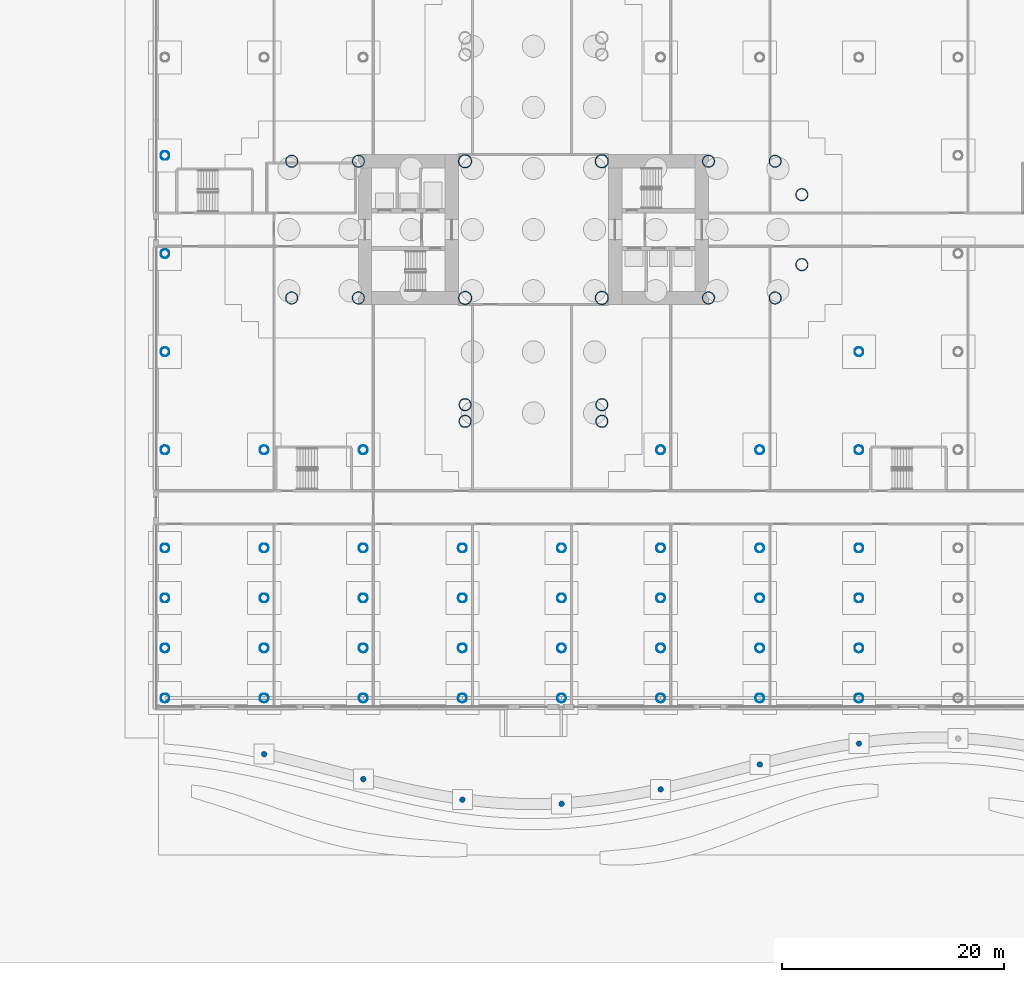
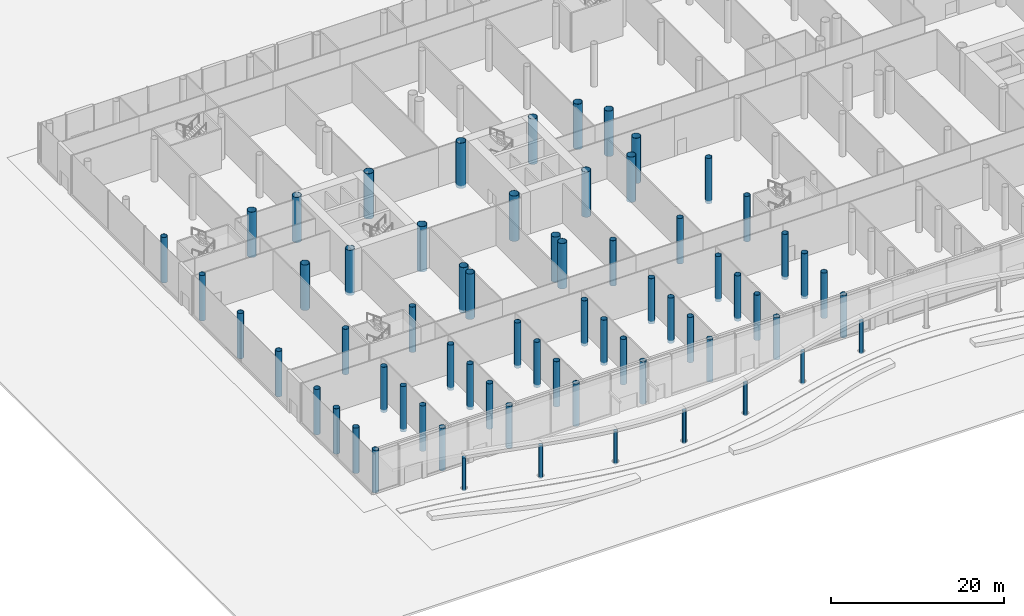
# One storey, part 2 of 75: 67 columns.
"""IFC4 building model written with IfcOpenShell, lengths in metres."""

from ifc_helpers import new_model, si_unit, direction, frame, origin, origin_2d, place, context, subcontext, project, spatial, circle, hollow_circle, extrude, material, material_profile, profile_set, type_object, element, save


model = new_model("IFC4")

# Units and contexts
model_context = context("Model", 3, precision=1e-05, world=origin(), true_north=direction((0.0, 1.0)))
body_context = subcontext(model_context, "Body", "Model", "MODEL_VIEW")
ifc_project = project(units=[si_unit("LENGTHUNIT", "METRE"), si_unit("AREAUNIT", "SQUARE_METRE"), si_unit("VOLUMEUNIT", "CUBIC_METRE"), si_unit("PLANEANGLEUNIT", "RADIAN"), si_unit("MASSUNIT", "GRAM", prefix="KILO")], contexts=[model_context])

# Site, building, storey
site_placement = place(None, origin())
site = spatial("IfcSite", under=ifc_project, at=site_placement, CompositionType="ELEMENT")
building_placement = place(site_placement, origin())
building = spatial("IfcBuilding", under=site, at=building_placement, Name="Ipe Terrace Towers", CompositionType="ELEMENT")
storey_placement = place(building_placement, origin())
storey = spatial("IfcBuildingStorey", under=building, at=storey_placement, Name="L00", CompositionType="ELEMENT", Elevation=0.0)

# Columns
ifc_material_1 = material(Name="Steel S355 tube with Concrete C60/75 fill", Category="concrete")
ifc_material_profile_1 = material_profile(ifc_material_1, hollow_circle(Radius=0.550048828125, WallThickness=0.0400390625, at=origin_2d()), Name="CHS-1100x40")
ifc_profile_set_1 = profile_set([ifc_material_profile_1], Name="Steel S355 tube with Concrete C60/75 fill")
column_type_1 = type_object("IfcColumnType", Name="CH02 COLUMN CHS-1100x40", PredefinedType="COLUMN", material=ifc_profile_set_1)
for number, where, z_axis, x_axis, name in (
    (1, (-20.25, -6.14990234375, -0.39990234375), (0.0, 0.0, 1.0), (1.0, 0.0, 0.0), "Column T1-C-A01"),
    (2, (-20.25, 6.14990234375, -0.39990234375), (0.0, 0.0, 1.0), (1.0, 0.0, 0.0), "Column T1-C-A02"),
    (3, (-14.25, -6.14990234375, -0.39990234375), (0.0, 0.0, 1.0), (1.0, 0.0, 0.0), "Column T1-C-A03"),
    (4, (-14.25, 6.14990234375, -0.39990234375), (0.0, 0.0, 1.0), (1.0, 0.0, 0.0), "Column T1-C-A04"),
    (5, (-11.85009765625, -3.14990234375, -0.39990234375), (0.0, 0.0, 1.0), (1.0, 0.0, 0.0), "Column T1-C-A05"),
    (6, (-11.85009765625, 3.14990234375, -0.39990234375), (0.0, 0.0, 1.0), (1.0, 0.0, 0.0), "Column T1-C-A06"),
    (7, (-51.75, -6.14990234375, -0.39990234375), (0.0, 0.0, 1.0), (1.0, 0.0, 0.0), "Column T1-C-C01"),
    (8, (-51.75, 6.14990234375, -0.39990234375), (0.0, 0.0, 1.0), (1.0, 0.0, 0.0), "Column T1-C-C02"),
    (9, (-57.75, -6.14990234375, -0.39990234375), (0.0, 0.0, 1.0), (1.0, 0.0, 0.0), "Column T1-C-C03"),
    (10, (-57.75, 6.14990234375, -0.39990234375), (0.0, 0.0, 1.0), (1.0, 0.0, 0.0), "Column T1-C-C04"),
    (11, (-42.14990234375, -15.75, -0.39990234375), (0.0, 0.0, 1.0), (1.0, 0.0, 0.0), "Column T1-C-D03"),
    (12, (-29.85009765625, -15.75, -0.39990234375), (0.0, 0.0, 1.0), (1.0, 0.0, 0.0), "Column T1-C-D04"),
    (13, (-42.14990234375, -17.25, -0.39990234375), (0.0, 0.0, 1.0), (1.0, 0.0, 0.0), "Column T1-C-D05"),
    (14, (-29.85009765625, -17.25, -0.39990234375), (0.0, 0.0, 1.0), (1.0, 0.0, 0.0), "Column T1-C-D06"),
):
    element("IfcColumn", number, at=place(storey_placement, frame(where, z_axis=z_axis, x_axis=x_axis)), inside=storey, type_object=column_type_1, Name=name, PredefinedType="COLUMN", context=body_context, shape_type="SweptSolid", body=[
        extrude(hollow_circle(Radius=0.550048828125, WallThickness=0.0400390625, at=origin_2d()), origin(), (0.0, 0.0, 1.0), 6.39990234375),
    ])
ifc_material_2 = material(Name="Steel S355 tube with Concrete C60/75 fill", Category="concrete")
ifc_material_profile_2 = material_profile(ifc_material_2, hollow_circle(Radius=0.60009765625, WallThickness=0.044921875, at=origin_2d()), Name="CHS-1200x45")
ifc_profile_set_2 = profile_set([ifc_material_profile_2], Name="Steel S355 tube with Concrete C60/75 fill")
column_type_2 = type_object("IfcColumnType", Name="CH03 COLUMN CHS-1200x45", PredefinedType="COLUMN", material=ifc_profile_set_2)
for number, where, z_axis, x_axis, name in (
    (15, (-42.14990234375, -6.14990234375, -0.39990234375), (0.0, 0.0, 1.0), (1.0, 0.0, 0.0), "Column T1-C-E01"),
    (16, (-29.85009765625, -6.14990234375, -0.39990234375), (0.0, 0.0, 1.0), (1.0, 0.0, 0.0), "Column T1-C-E02"),
    (17, (-29.85009765625, 6.14990234375, -0.39990234375), (0.0, 0.0, 1.0), (1.0, 0.0, 0.0), "Column T1-C-E03"),
    (18, (-42.14990234375, 6.14990234375, -0.39990234375), (0.0, 0.0, 1.0), (1.0, 0.0, 0.0), "Column T1-C-E04"),
):
    element("IfcColumn", number, at=place(storey_placement, frame(where, z_axis=z_axis, x_axis=x_axis)), inside=storey, type_object=column_type_2, Name=name, PredefinedType="COLUMN", context=body_context, shape_type="SweptSolid", body=[
        extrude(hollow_circle(Radius=0.60009765625, WallThickness=0.044921875, at=origin_2d()), origin(), (0.0, 0.0, 1.0), 6.39990234375),
    ])
ifc_material_3 = material(Name="Steel S355 tube with Concrete C60/75 fill", Category="concrete")
ifc_material_profile_3 = material_profile(ifc_material_3, hollow_circle(Radius=0.39990234375, WallThickness=0.028076171875, at=origin_2d()), Name="CHS-800x28")
ifc_profile_set_3 = profile_set([ifc_material_profile_3], Name="Steel S355 tube with Concrete C60/75 fill")
column_type_3 = type_object("IfcColumnType", Name="CH09 PODIUM COLUMN CHS-800x28", PredefinedType="COLUMN", material=ifc_profile_set_3)
for number, where, z_axis, x_axis, name in (
    (19, (-69.14990234375, -42.14990234375, -0.39990234375), (0.0, 0.0, 1.0), (1.0, 0.0, 0.0), "Column PD-C-A01"),
    (20, (-60.22998046875, -42.14990234375, -0.39990234375), (0.0, 0.0, 1.0), (1.0, 0.0, 0.0), "Column PD-C-A02"),
    (21, (-51.31005859375, -42.14990234375, -0.39990234375), (0.0, 0.0, 1.0), (1.0, 0.0, 0.0), "Column PD-C-A03"),
    (22, (-42.389892578125, -42.14990234375, -0.39990234375), (0.0, 0.0, 1.0), (1.0, 0.0, 0.0), "Column PD-C-A04"),
    (23, (-33.469970703125, -42.14990234375, -0.39990234375), (0.0, 0.0, 1.0), (1.0, 0.0, 0.0), "Column PD-C-A05"),
    (24, (-24.550048828125, -42.14990234375, -0.39990234375), (0.0, 0.0, 1.0), (1.0, 0.0, 0.0), "Column PD-C-A06"),
    (25, (-15.6298828125, -42.14990234375, -0.39990234375), (0.0, 0.0, 1.0), (1.0, 0.0, 0.0), "Column PD-C-A07"),
    (26, (-6.7099609375, -42.14990234375, -0.39990234375), (0.0, 0.0, 1.0), (1.0, 0.0, 0.0), "Column PD-C-A08"),
):
    element("IfcColumn", number, at=place(storey_placement, frame(where, z_axis=z_axis, x_axis=x_axis)), inside=storey, type_object=column_type_3, Name=name, PredefinedType="COLUMN", context=body_context, shape_type="SweptSolid", body=[
        extrude(hollow_circle(Radius=0.39990234375, WallThickness=0.028076171875, at=origin_2d()), origin(), (0.0, 0.0, 1.0), 5.97998046875),
    ])
for number, where, z_axis, x_axis, name in (
    (27, (-69.14990234375, -37.64990234375, -0.39990234375), (0.0, 0.0, 1.0), (1.0, 0.0, 0.0), "Column PD-C-B01"),
    (28, (-60.22998046875, -37.64990234375, -0.39990234375), (0.0, 0.0, 1.0), (1.0, 0.0, 0.0), "Column PD-C-B02"),
    (29, (-51.31005859375, -37.64990234375, -0.39990234375), (0.0, 0.0, 1.0), (1.0, 0.0, 0.0), "Column PD-C-B03"),
    (30, (-42.389892578125, -37.64990234375, -0.39990234375), (0.0, 0.0, 1.0), (1.0, 0.0, 0.0), "Column PD-C-B04"),
    (31, (-33.469970703125, -37.64990234375, -0.39990234375), (0.0, 0.0, 1.0), (1.0, 0.0, 0.0), "Column PD-C-B05"),
    (32, (-24.550048828125, -37.64990234375, -0.39990234375), (0.0, 0.0, 1.0), (1.0, 0.0, 0.0), "Column PD-C-B06"),
    (33, (-15.6298828125, -37.64990234375, -0.39990234375), (0.0, 0.0, 1.0), (1.0, 0.0, 0.0), "Column PD-C-B07"),
    (34, (-6.7099609375, -37.64990234375, -0.39990234375), (0.0, 0.0, 1.0), (1.0, 0.0, 0.0), "Column PD-C-B08"),
    (35, (-69.14990234375, -33.14990234375, -0.39990234375), (0.0, 0.0, 1.0), (1.0, 0.0, 0.0), "Column PD-C-C01"),
    (36, (-60.22998046875, -33.14990234375, -0.39990234375), (0.0, 0.0, 1.0), (1.0, 0.0, 0.0), "Column PD-C-C02"),
    (37, (-51.31005859375, -33.14990234375, -0.39990234375), (0.0, 0.0, 1.0), (1.0, 0.0, 0.0), "Column PD-C-C03"),
    (38, (-42.389892578125, -33.14990234375, -0.39990234375), (0.0, 0.0, 1.0), (1.0, 0.0, 0.0), "Column PD-C-C04"),
    (39, (-33.469970703125, -33.14990234375, -0.39990234375), (0.0, 0.0, 1.0), (1.0, 0.0, 0.0), "Column PD-C-C05"),
    (40, (-24.550048828125, -33.14990234375, -0.39990234375), (0.0, 0.0, 1.0), (1.0, 0.0, 0.0), "Column PD-C-C06"),
    (41, (-15.6298828125, -33.14990234375, -0.39990234375), (0.0, 0.0, 1.0), (1.0, 0.0, 0.0), "Column PD-C-C07"),
    (42, (-6.7099609375, -33.14990234375, -0.39990234375), (0.0, 0.0, 1.0), (1.0, 0.0, 0.0), "Column PD-C-C08"),
    (43, (-69.14990234375, -28.64990234375, -0.39990234375), (0.0, 0.0, 1.0), (1.0, 0.0, 0.0), "Column PD-C-D01"),
    (44, (-60.22998046875, -28.64990234375, -0.39990234375), (0.0, 0.0, 1.0), (1.0, 0.0, 0.0), "Column PD-C-D02"),
    (45, (-51.31005859375, -28.64990234375, -0.39990234375), (0.0, 0.0, 1.0), (1.0, 0.0, 0.0), "Column PD-C-D03"),
    (46, (-42.389892578125, -28.64990234375, -0.39990234375), (0.0, 0.0, 1.0), (1.0, 0.0, 0.0), "Column PD-C-D04"),
    (47, (-33.469970703125, -28.64990234375, -0.39990234375), (0.0, 0.0, 1.0), (1.0, 0.0, 0.0), "Column PD-C-D05"),
    (48, (-24.550048828125, -28.64990234375, -0.39990234375), (0.0, 0.0, 1.0), (1.0, 0.0, 0.0), "Column PD-C-D06"),
    (49, (-15.6298828125, -28.64990234375, -0.39990234375), (0.0, 0.0, 1.0), (1.0, 0.0, 0.0), "Column PD-C-D07"),
    (50, (-6.7099609375, -28.64990234375, -0.39990234375), (0.0, 0.0, 1.0), (1.0, 0.0, 0.0), "Column PD-C-D08"),
    (51, (-69.14990234375, -19.821044921875, -0.39990234375), (0.0, 0.0, 1.0), (1.0, 0.0, 0.0), "Column PD-C-E01"),
    (52, (-60.22998046875, -19.821044921875, -0.39990234375), (0.0, 0.0, 1.0), (1.0, 0.0, 0.0), "Column PD-C-E02"),
    (53, (-51.31005859375, -19.821044921875, -0.39990234375), (0.0, 0.0, 1.0), (1.0, 0.0, 0.0), "Column PD-C-E03"),
    (54, (-24.550048828125, -19.821044921875, -0.39990234375), (0.0, 0.0, 1.0), (1.0, 0.0, 0.0), "Column PD-C-E06"),
    (55, (-15.6298828125, -19.821044921875, -0.39990234375), (0.0, 0.0, 1.0), (1.0, 0.0, 0.0), "Column PD-C-E07"),
    (56, (-6.7099609375, -19.821044921875, -0.39990234375), (0.0, 0.0, 1.0), (1.0, 0.0, 0.0), "Column PD-C-E08"),
    (57, (-69.14990234375, -10.992919921875, -0.39990234375), (0.0, 0.0, 1.0), (1.0, 0.0, 0.0), "Column PD-C-F01"),
    (58, (-6.7099609375, -10.992919921875, -0.39990234375), (0.0, 0.0, 1.0), (1.0, 0.0, 0.0), "Column PD-C-F08"),
    (59, (-69.14990234375, -2.1640625, -0.39990234375), (0.0, 0.0, 1.0), (1.0, 0.0, 0.0), "Column PD-C-G01"),
    (60, (-69.14990234375, 6.6640625, -0.39990234375), (0.0, 0.0, 1.0), (1.0, 0.0, 0.0), "Column PD-C-H01"),
):
    element("IfcColumn", number, at=place(storey_placement, frame(where, z_axis=z_axis, x_axis=x_axis)), inside=storey, type_object=column_type_3, Name=name, PredefinedType="COLUMN", context=body_context, shape_type="SweptSolid", body=[
        extrude(hollow_circle(Radius=0.39990234375, WallThickness=0.028076171875, at=origin_2d()), origin(), (0.0, 0.0, 1.0), 6.39990234375),
    ])
ifc_material_4 = material(Name="Concrete C40/50", Category="concrete")
ifc_material_profile_4 = material_profile(ifc_material_4, circle(Radius=0.25, at=origin_2d()), Name="PILOTIS CONCRETE C40/50 CIRCULAR 500")
ifc_profile_set_4 = profile_set([ifc_material_profile_4], Name="Concrete C40/50")
column_type_4 = type_object("IfcColumnType", Name="PILOTIS CONCRETE C40/50 CIRCULAR 500", PredefinedType="COLUMN", material=ifc_profile_set_4)
for number, where, z_axis, x_axis, name in (
    (61, (-60.22998046875, -47.18798828125, -0.300048828125), (0.0, 0.0, 1.0), (1.0, 0.0, 0.0), "Pilotis PIL01"),
    (62, (-51.31005859375, -49.43798828125, -0.300048828125), (0.0, 0.0, 1.0), (1.0, 0.0, 0.0), "Pilotis PIL02"),
    (63, (-42.389892578125, -51.285888671875, -0.300048828125), (0.0, 0.0, 1.0), (1.0, 0.0, 0.0), "Pilotis PIL03"),
    (64, (-33.469970703125, -51.6669921875, -0.300048828125), (0.0, 0.0, 1.0), (1.0, 0.0, 0.0), "Pilotis PIL04"),
    (65, (-24.550048828125, -50.363037109375, -0.300048828125), (0.0, 0.0, 1.0), (1.0, 0.0, 0.0), "Pilotis PIL05"),
    (66, (-15.6298828125, -48.1240234375, -0.300048828125), (0.0, 0.0, 1.0), (1.0, 0.0, 0.0), "Pilotis PIL06"),
    (67, (-6.7099609375, -46.239990234375, -0.300048828125), (0.0, 0.0, 1.0), (1.0, 0.0, 0.0), "Pilotis PIL07"),
):
    element("IfcColumn", number, at=place(storey_placement, frame(where, z_axis=z_axis, x_axis=x_axis)), inside=storey, type_object=column_type_4, Name=name, PredefinedType="COLUMN", context=body_context, shape_type="SweptSolid", body=[
        extrude(circle(Radius=0.25, at=origin_2d()), origin(), (0.0, 0.0, 1.0), 4.650146484375),
    ])

save(model, "model.ifc")
